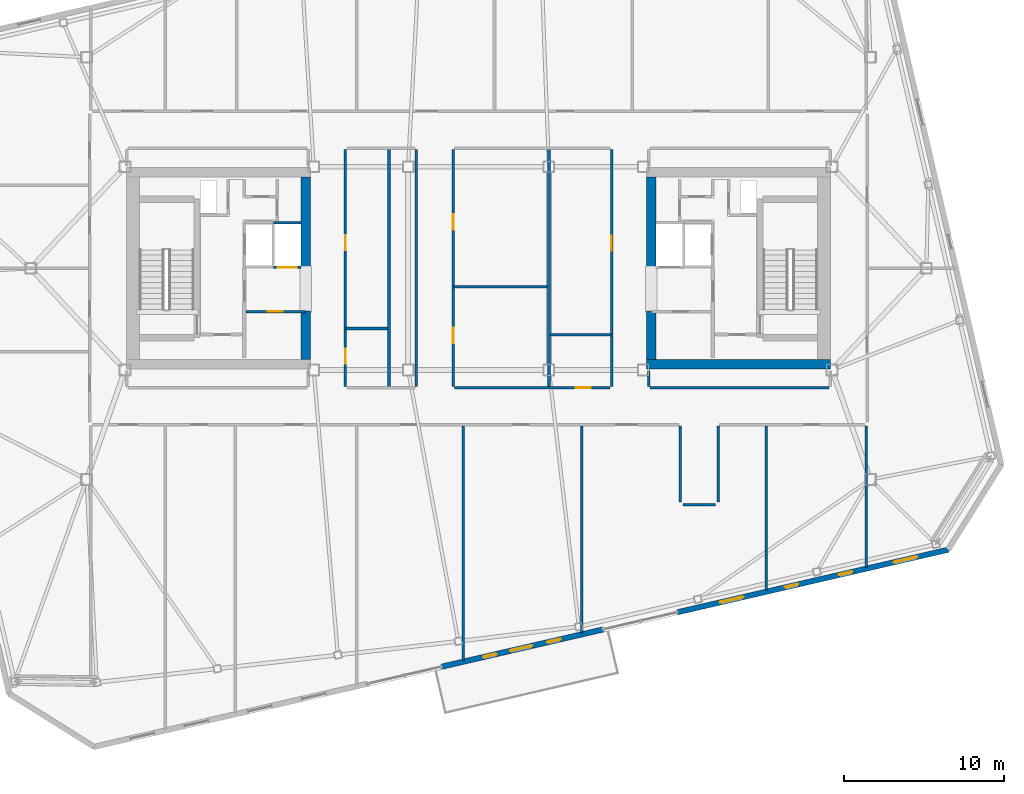
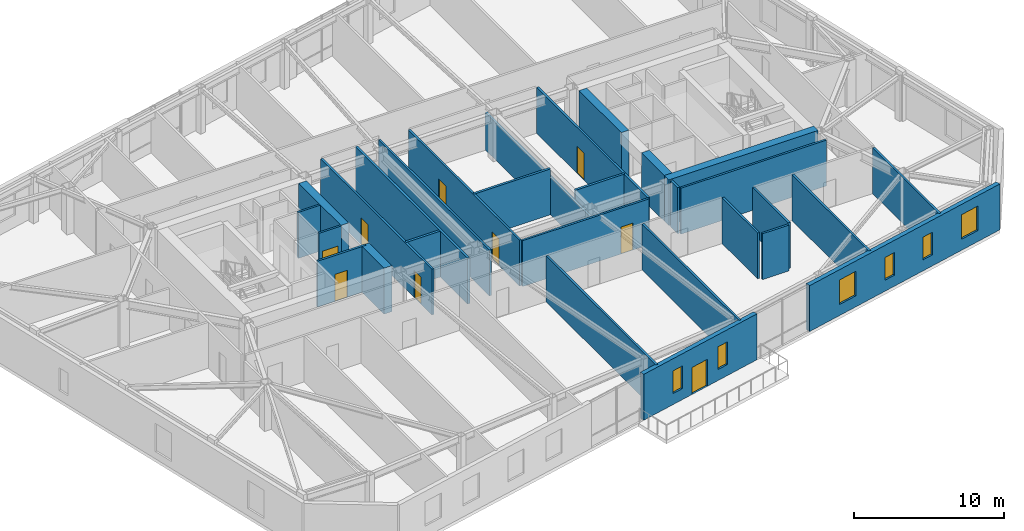
# One storey, part 17 of 24: 29 walls, 9 doors, 6 windows, 15 openings.
"""IFC4 building model written with IfcOpenShell, lengths in metres."""

from ifc_helpers import new_model, si_unit, direction, frame, frame_2d, origin, place, context, subcontext, project, spatial, rectangle, extrude, material, layer, layer_set, type_object, element, fill, save


model = new_model("IFC4")

# Units and contexts
model_context = context("Model", 3, precision=1e-05, world=origin(), true_north=direction((0.0, 1.0)))
body_context = subcontext(model_context, "Body", "Model", "MODEL_VIEW")
ifc_project = project(units=[si_unit("LENGTHUNIT", "METRE"), si_unit("AREAUNIT", "SQUARE_METRE"), si_unit("VOLUMEUNIT", "CUBIC_METRE"), si_unit("PLANEANGLEUNIT", "RADIAN"), si_unit("MASSUNIT", "GRAM", prefix="KILO")], contexts=[model_context])

# Site, building, storey
site_placement = place(None, origin())
site = spatial("IfcSite", under=ifc_project, at=site_placement, CompositionType="ELEMENT")
building_placement = place(site_placement, origin())
building = spatial("IfcBuilding", under=site, at=building_placement, Name="Tavrogorsk Clinical Tower", CompositionType="ELEMENT")
storey_placement = place(building_placement, frame((0.0, 0.0, 325.0)))
storey = spatial("IfcBuildingStorey", under=building, at=storey_placement, Name="L76", CompositionType="ELEMENT", Elevation=325.0)

# Wall, opening, door
ifc_material_1 = material(Name="Lightweight concrete blockwork B15", Category="masonry")
ifc_layer_1 = layer(ifc_material_1, 0.159912109375)
ifc_layer_set_1 = layer_set([ifc_layer_1], Name="Lightweight concrete blockwork B15")
wall_type_1 = type_object("IfcWallType", Name="PartitionWall_160", PredefinedType="PARTITIONING", material=ifc_layer_set_1)
wall_1_placement = place(storey_placement, frame((-14.534912109375, -2.699951171875, 0.0), z_axis=(0.0, 0.0, 1.0), x_axis=(1.0, 0.0, 0.0)))
wall_1 = element("IfcWall", 1, at=wall_1_placement, inside=storey, type_object=wall_type_1, Name="L76 Core West Freed Mid-Bank North Partition", PredefinedType="PARTITIONING", context=body_context, shape_type="SweptSolid", body=[
    extrude(rectangle(XDim=3.73486328125, YDim=0.159912109375, at=frame_2d((1.867431640625, 0.0))), origin(), (0.0, 0.0, 1.0), 3.739990234375),
])
opening_1_placement = place(wall_1_placement, frame((1.35009765625, 0.0, 0.0)))
opening_1 = element("IfcOpeningElement", 2, at=opening_1_placement, cuts=wall_1, Name="Opening ID-02", PredefinedType="OPENING", context=body_context, shape_type="SweptSolid", body=[
    extrude(rectangle(XDim=0.949951171875, YDim=2.199951171875, at=frame_2d((0.47509765625, 1.10009765625))), frame((0.0, 0.08984375, 0.0), z_axis=(0.0, -1.0, 0.0), x_axis=(1.0, 0.0, 0.0)), (0.0, 0.0, 1.0), 0.179931640625),
])
ifc_material_2 = material(Name="Laminated timber leaf on aluminium frame", Category="wood")
door_type_1 = type_object("IfcDoorType", Name="InteriorDoor_ID02_950", OperationType="NOTDEFINED", PredefinedType="DOOR", material=ifc_material_2)
door_1_placement = place(opening_1_placement, origin())
door_1 = element("IfcDoor", 3, at=door_1_placement, inside=storey, type_object=door_type_1, Name="L76 Core West Pharmacy Prep Door", OperationType="SINGLE_SWING_LEFT", OverallHeight=2.199951171875, OverallWidth=0.949951171875, PredefinedType="DOOR", context=body_context, shape_type="SweptSolid", body=[
    extrude(rectangle(XDim=0.949951171875, YDim=2.199951171875, at=frame_2d((0.47509765625, 1.10009765625))), frame((0.0, 0.02490234375, 0.0), z_axis=(0.0, -1.0, 0.0), x_axis=(1.0, 0.0, 0.0)), (0.0, 0.0, 1.0), 0.050048828125),
])
fill(opening_1, door_1)

# Walls
wall_2_placement = place(storey_placement, frame((14.97998046875, -9.864990234375, 0.0), z_axis=(0.0, 0.0, 1.0), x_axis=(0.0, -1.0, 0.0)))
element("IfcWall", 4, at=wall_2_placement, inside=storey, type_object=wall_type_1, Name="L76 Corridor Partition 05", PredefinedType="PARTITIONING", context=body_context, shape_type="SweptSolid", body=[
    extrude(rectangle(XDim=4.75, YDim=0.159912109375, at=frame_2d((2.375, 0.0))), origin(), (0.0, 0.0, 1.0), 3.739990234375),
])
wall_3_placement = place(storey_placement, frame((14.81494140625, -14.780029296875, 0.0), z_axis=(0.0, 0.0, 1.0), x_axis=(-1.0, 0.0, 0.0)))
element("IfcWall", 5, at=wall_3_placement, inside=storey, type_object=wall_type_1, Name="L76 Corridor Partition 06", PredefinedType="PARTITIONING", context=body_context, shape_type="SweptSolid", body=[
    extrude(rectangle(XDim=2.030029296875, YDim=0.159912109375, at=frame_2d((1.01513671875, 0.0))), origin(), (0.0, 0.0, 1.0), 3.739990234375),
])
wall_4_placement = place(storey_placement, frame((12.6201171875, -14.614990234375, 0.0), z_axis=(0.0, 0.0, 1.0), x_axis=(0.0, 1.0, 0.0)))
element("IfcWall", 6, at=wall_4_placement, inside=storey, type_object=wall_type_1, Name="L76 Corridor Partition 07", PredefinedType="PARTITIONING", context=body_context, shape_type="SweptSolid", body=[
    extrude(rectangle(XDim=4.75, YDim=0.159912109375, at=frame_2d((2.375, 0.0))), origin(), (0.0, 0.0, 1.0), 3.739990234375),
])
wall_5_placement = place(storey_placement, frame((10.6298828125, -6.419921875, 0.0), z_axis=(0.0, 0.0, 1.0), x_axis=(0.0, -1.0, 0.0)))
element("IfcWall", 7, at=wall_5_placement, inside=storey, type_object=wall_type_1, Name="L76 Corridor Partition 11", PredefinedType="PARTITIONING", context=body_context, shape_type="SweptSolid", body=[
    extrude(rectangle(XDim=0.965087890625, YDim=0.159912109375, at=frame_2d((0.482421875, 0.0))), origin(), (0.0, 0.0, 1.0), 3.739990234375),
])
wall_6_placement = place(storey_placement, frame((10.715087890625, -7.469970703125, 0.0), z_axis=(0.0, 0.0, 1.0), x_axis=(1.0, 0.0, 0.0)))
element("IfcWall", 8, at=wall_6_placement, inside=storey, type_object=wall_type_1, Name="L76 Corridor Partition 12", PredefinedType="PARTITIONING", context=body_context, shape_type="SweptSolid", body=[
    extrude(rectangle(XDim=11.199951171875, YDim=0.159912109375, at=frame_2d((5.60009765625, 0.0))), origin(), (0.0, 0.0, 1.0), 3.739990234375),
])

# Wall, openings, doors
wall_7_placement = place(storey_placement, frame((-1.570068359375, 7.43505859375, 0.0), z_axis=(0.0, 0.0, 1.0), x_axis=(0.0, -1.0, 0.0)))
wall_7 = element("IfcWall", 9, at=wall_7_placement, inside=storey, type_object=wall_type_1, Name="L76 Corridor Partition 16", PredefinedType="PARTITIONING", context=body_context, shape_type="SweptSolid", body=[
    extrude(rectangle(XDim=14.820068359375, YDim=0.159912109375, at=frame_2d((7.41015625, 0.0))), origin(), (0.0, 0.0, 1.0), 3.739990234375),
])
opening_2_placement = place(wall_7_placement, frame((11.160888671875, 0.0, 0.0)))
opening_2 = element("IfcOpeningElement", 10, at=opening_2_placement, cuts=wall_7, Name="Opening ID-02", PredefinedType="OPENING", context=body_context, shape_type="SweptSolid", body=[
    extrude(rectangle(XDim=0.949951171875, YDim=2.199951171875, at=frame_2d((0.47509765625, 1.10009765625))), frame((0.0, 0.08984375, 0.0), z_axis=(0.0, -1.0, 0.0), x_axis=(1.0, 0.0, 0.0)), (0.0, 0.0, 1.0), 0.179931640625),
])
opening_3_placement = place(wall_7_placement, frame((4.05419921875, 0.0, 0.0)))
opening_3 = element("IfcOpeningElement", 11, at=opening_3_placement, cuts=wall_7, Name="Opening ID-02", PredefinedType="OPENING", context=body_context, shape_type="SweptSolid", body=[
    extrude(rectangle(XDim=0.949951171875, YDim=2.199951171875, at=frame_2d((0.47509765625, 1.10009765625))), frame((0.0, 0.08984375, 0.0), z_axis=(0.0, -1.0, 0.0), x_axis=(1.0, 0.0, 0.0)), (0.0, 0.0, 1.0), 0.179931640625),
])
door_2_placement = place(opening_2_placement, origin())
door_2 = element("IfcDoor", 12, at=door_2_placement, inside=storey, type_object=door_type_1, Name="L76 Multidisciplinary Conference Room Door", OperationType="SINGLE_SWING_LEFT", OverallHeight=2.199951171875, OverallWidth=0.949951171875, PredefinedType="DOOR", context=body_context, shape_type="SweptSolid", body=[
    extrude(rectangle(XDim=0.949951171875, YDim=2.199951171875, at=frame_2d((0.47509765625, 1.10009765625))), frame((0.0, 0.02490234375, 0.0), z_axis=(0.0, -1.0, 0.0), x_axis=(1.0, 0.0, 0.0)), (0.0, 0.0, 1.0), 0.050048828125),
])
fill(opening_2, door_2)
door_3_placement = place(opening_3_placement, origin())
door_3 = element("IfcDoor", 13, at=door_3_placement, inside=storey, type_object=door_type_1, Name="L76 Nurses' Station & Triage Hub Door", OperationType="SINGLE_SWING_RIGHT", OverallHeight=2.199951171875, OverallWidth=0.949951171875, PredefinedType="DOOR", context=body_context, shape_type="SweptSolid", body=[
    extrude(rectangle(XDim=0.949951171875, YDim=2.199951171875, at=frame_2d((0.47509765625, 1.10009765625))), frame((0.0, 0.02490234375, 0.0), z_axis=(0.0, -1.0, 0.0), x_axis=(1.0, 0.0, 0.0)), (0.0, 0.0, 1.0), 0.050048828125),
])
fill(opening_3, door_3)

# Wall, opening, door
wall_8_placement = place(storey_placement, frame((-1.485107421875, -7.469970703125, 0.0), z_axis=(0.0, 0.0, 1.0), x_axis=(1.0, 0.0, 0.0)))
wall_8 = element("IfcWall", 14, at=wall_8_placement, inside=storey, type_object=wall_type_1, Name="L76 Corridor Partition 17", PredefinedType="PARTITIONING", context=body_context, shape_type="SweptSolid", body=[
    extrude(rectangle(XDim=9.72021484375, YDim=0.159912109375, at=frame_2d((4.860107421875, 0.0))), origin(), (0.0, 0.0, 1.0), 3.739990234375),
])
opening_4_placement = place(wall_8_placement, frame((7.560791015625, 0.0, 0.0)))
opening_4 = element("IfcOpeningElement", 15, at=opening_4_placement, cuts=wall_8, Name="Opening ID-02", PredefinedType="OPENING", context=body_context, shape_type="SweptSolid", body=[
    extrude(rectangle(XDim=0.949951171875, YDim=2.199951171875, at=frame_2d((0.47509765625, 1.10009765625))), frame((0.0, 0.08984375, 0.0), z_axis=(0.0, -1.0, 0.0), x_axis=(1.0, 0.0, 0.0)), (0.0, 0.0, 1.0), 0.179931640625),
])
door_4_placement = place(opening_4_placement, origin())
door_4 = element("IfcDoor", 16, at=door_4_placement, inside=storey, type_object=door_type_1, Name="L76 Staff & Visitor Accessible WC Door", OperationType="SINGLE_SWING_LEFT", OverallHeight=2.199951171875, OverallWidth=0.949951171875, PredefinedType="DOOR", context=body_context, shape_type="SweptSolid", body=[
    extrude(rectangle(XDim=0.949951171875, YDim=2.199951171875, at=frame_2d((0.47509765625, 1.10009765625))), frame((0.0, 0.02490234375, 0.0), z_axis=(0.0, -1.0, 0.0), x_axis=(1.0, 0.0, 0.0)), (0.0, 0.0, 1.0), 0.050048828125),
])
fill(opening_4, door_4)

wall_9_placement = place(storey_placement, frame((8.320068359375, -7.385009765625, 0.0), z_axis=(0.0, 0.0, 1.0), x_axis=(0.0, 1.0, 0.0)))
wall_9 = element("IfcWall", 17, at=wall_9_placement, inside=storey, type_object=wall_type_1, Name="L76 Corridor Partition 18", PredefinedType="PARTITIONING", context=body_context, shape_type="SweptSolid", body=[
    extrude(rectangle(XDim=14.820068359375, YDim=0.159912109375, at=frame_2d((7.41015625, 0.0))), origin(), (0.0, 0.0, 1.0), 3.739990234375),
])
opening_5_placement = place(wall_9_placement, frame((8.48583984375, 0.0, 0.0)))
opening_5 = element("IfcOpeningElement", 18, at=opening_5_placement, cuts=wall_9, Name="Opening ID-02", PredefinedType="OPENING", context=body_context, shape_type="SweptSolid", body=[
    extrude(rectangle(XDim=0.949951171875, YDim=2.199951171875, at=frame_2d((0.47509765625, 1.10009765625))), frame((0.0, 0.08984375, 0.0), z_axis=(0.0, -1.0, 0.0), x_axis=(1.0, 0.0, 0.0)), (0.0, 0.0, 1.0), 0.179931640625),
])
door_5_placement = place(opening_5_placement, origin())
door_5 = element("IfcDoor", 19, at=door_5_placement, inside=storey, type_object=door_type_1, Name="L76 Attending Physician Office Door", OperationType="SINGLE_SWING_RIGHT", OverallHeight=2.199951171875, OverallWidth=0.949951171875, PredefinedType="DOOR", context=body_context, shape_type="SweptSolid", body=[
    extrude(rectangle(XDim=0.949951171875, YDim=2.199951171875, at=frame_2d((0.47509765625, 1.10009765625))), frame((0.0, 0.02490234375, 0.0), z_axis=(0.0, -1.0, 0.0), x_axis=(1.0, 0.0, 0.0)), (0.0, 0.0, 1.0), 0.050048828125),
])
fill(opening_5, door_5)

# Wall
wall_10_placement = place(storey_placement, frame((-3.8798828125, -7.385009765625, 0.0), z_axis=(0.0, 0.0, 1.0), x_axis=(0.0, 1.0, 0.0)))
element("IfcWall", 20, at=wall_10_placement, inside=storey, type_object=wall_type_1, Name="L76 Corridor Partition 19", PredefinedType="PARTITIONING", context=body_context, shape_type="SweptSolid", body=[
    extrude(rectangle(XDim=14.820068359375, YDim=0.159912109375, at=frame_2d((7.41015625, 0.0))), origin(), (0.0, 0.0, 1.0), 3.739990234375),
])

# Wall, openings, doors
wall_11_placement = place(storey_placement, frame((-8.320068359375, 7.43505859375, 0.0), z_axis=(0.0, 0.0, 1.0), x_axis=(0.0, -1.0, 0.0)))
wall_11 = element("IfcWall", 21, at=wall_11_placement, inside=storey, type_object=wall_type_1, Name="L76 Corridor Partition 21", PredefinedType="PARTITIONING", context=body_context, shape_type="SweptSolid", body=[
    extrude(rectangle(XDim=14.820068359375, YDim=0.159912109375, at=frame_2d((7.41015625, 0.0))), origin(), (0.0, 0.0, 1.0), 3.739990234375),
])
opening_6_placement = place(wall_11_placement, frame((12.4609375, 0.0, 0.0)))
opening_6 = element("IfcOpeningElement", 22, at=opening_6_placement, cuts=wall_11, Name="Opening ID-02", PredefinedType="OPENING", context=body_context, shape_type="SweptSolid", body=[
    extrude(rectangle(XDim=0.949951171875, YDim=2.199951171875, at=frame_2d((0.47509765625, 1.10009765625))), frame((0.0, 0.08984375, 0.0), z_axis=(0.0, -1.0, 0.0), x_axis=(1.0, 0.0, 0.0)), (0.0, 0.0, 1.0), 0.179931640625),
])
opening_7_placement = place(wall_11_placement, frame((5.35400390625, 0.0, 0.0)))
opening_7 = element("IfcOpeningElement", 23, at=opening_7_placement, cuts=wall_11, Name="Opening ID-02", PredefinedType="OPENING", context=body_context, shape_type="SweptSolid", body=[
    extrude(rectangle(XDim=0.949951171875, YDim=2.199951171875, at=frame_2d((0.47509765625, 1.10009765625))), frame((0.0, 0.08984375, 0.0), z_axis=(0.0, -1.0, 0.0), x_axis=(1.0, 0.0, 0.0)), (0.0, 0.0, 1.0), 0.179931640625),
])
door_6_placement = place(opening_6_placement, origin())
door_6 = element("IfcDoor", 24, at=door_6_placement, inside=storey, type_object=door_type_1, Name="L76 Accessible Patient Lavatory Door", OperationType="SINGLE_SWING_LEFT", OverallHeight=2.199951171875, OverallWidth=0.949951171875, PredefinedType="DOOR", context=body_context, shape_type="SweptSolid", body=[
    extrude(rectangle(XDim=0.949951171875, YDim=2.199951171875, at=frame_2d((0.47509765625, 1.10009765625))), frame((0.0, 0.02490234375, 0.0), z_axis=(0.0, -1.0, 0.0), x_axis=(1.0, 0.0, 0.0)), (0.0, 0.0, 1.0), 0.050048828125),
])
fill(opening_6, door_6)
door_7_placement = place(opening_7_placement, origin())
door_7 = element("IfcDoor", 25, at=door_7_placement, inside=storey, type_object=door_type_1, Name="L76 Ward Nourishment Pantry Door", OperationType="SINGLE_SWING_RIGHT", OverallHeight=2.199951171875, OverallWidth=0.949951171875, PredefinedType="DOOR", context=body_context, shape_type="SweptSolid", body=[
    extrude(rectangle(XDim=0.949951171875, YDim=2.199951171875, at=frame_2d((0.47509765625, 1.10009765625))), frame((0.0, 0.02490234375, 0.0), z_axis=(0.0, -1.0, 0.0), x_axis=(1.0, 0.0, 0.0)), (0.0, 0.0, 1.0), 0.050048828125),
])
fill(opening_7, door_7)

# Walls
wall_12_placement = place(storey_placement, frame((24.22998046875, -18.702880859375, 0.0), z_axis=(0.0, 0.0, 1.0), x_axis=(0.0, 1.0, 0.0)))
element("IfcWall", 26, at=wall_12_placement, inside=storey, type_object=wall_type_1, Name="L76 SE Wing Closure Partition", PredefinedType="PARTITIONING", context=body_context, shape_type="SweptSolid", body=[
    extrude(rectangle(XDim=8.837890625, YDim=0.159912109375, at=frame_2d((4.4189453125, 0.0))), origin(), (0.0, 0.0, 1.0), 3.739990234375),
])
wall_13_placement = place(storey_placement, frame((-0.93994140625, -24.513671875, 0.0), z_axis=(0.0, 0.0, 1.0), x_axis=(0.0, 1.0, 0.0)))
element("IfcWall", 27, at=wall_13_placement, inside=storey, type_object=wall_type_1, Name="L76 South Room Partition 3", PredefinedType="PARTITIONING", context=body_context, shape_type="SweptSolid", body=[
    extrude(rectangle(XDim=14.648681640625, YDim=0.159912109375, at=frame_2d((7.32421875, 0.0))), origin(), (0.0, 0.0, 1.0), 3.739990234375),
])
wall_14_placement = place(storey_placement, frame((6.4599609375, -22.805419921875, 0.0), z_axis=(0.0, 0.0, 1.0), x_axis=(0.0, 1.0, 0.0)))
element("IfcWall", 28, at=wall_14_placement, inside=storey, type_object=wall_type_1, Name="L76 South Room Partition 4", PredefinedType="PARTITIONING", context=body_context, shape_type="SweptSolid", body=[
    extrude(rectangle(XDim=12.9404296875, YDim=0.159912109375, at=frame_2d((6.47021484375, 0.0))), origin(), (0.0, 0.0, 1.0), 3.739990234375),
])
wall_15_placement = place(storey_placement, frame((18.0, -20.14111328125, 0.0), z_axis=(0.0, 0.0, 1.0), x_axis=(0.0, 1.0, 0.0)))
element("IfcWall", 29, at=wall_15_placement, inside=storey, type_object=wall_type_1, Name="L76 South Room Partition 5", PredefinedType="PARTITIONING", context=body_context, shape_type="SweptSolid", body=[
    extrude(rectangle(XDim=10.276123046875, YDim=0.159912109375, at=frame_2d((5.13818359375, 0.0))), origin(), (0.0, 0.0, 1.0), 3.739990234375),
])
ifc_material_3 = material(Name="Lightweight concrete blockwork B20", Category="masonry")
ifc_layer_2 = layer(ifc_material_3, 0.179931640625)
ifc_layer_set_2 = layer_set([ifc_layer_2], Name="Lightweight concrete blockwork B20")
wall_type_2 = type_object("IfcWallType", Name="PartitionWall_180", PredefinedType="PARTITIONING", material=ifc_layer_set_2)
wall_16_placement = place(storey_placement, frame((-5.60009765625, -7.465087890625, 0.0), z_axis=(0.0, 0.0, 1.0), x_axis=(0.0, 1.0, 0.0)))
element("IfcWall", 30, at=wall_16_placement, inside=storey, type_object=wall_type_2, Name="L76 Central Spine Partition 1", PredefinedType="PARTITIONING", context=body_context, shape_type="SweptSolid", body=[
    extrude(rectangle(XDim=14.97998046875, YDim=0.179931640625, at=frame_2d((7.489990234375, 0.0))), origin(), (0.0, 0.0, 1.0), 3.739990234375),
])
wall_17_placement = place(storey_placement, frame((4.39990234375, -7.465087890625, 0.0), z_axis=(0.0, 0.0, 1.0), x_axis=(0.0, 1.0, 0.0)))
element("IfcWall", 31, at=wall_17_placement, inside=storey, type_object=wall_type_2, Name="L76 Central Spine Partition 2", PredefinedType="PARTITIONING", context=body_context, shape_type="SweptSolid", body=[
    extrude(rectangle(XDim=14.97998046875, YDim=0.179931640625, at=frame_2d((7.489990234375, 0.0))), origin(), (0.0, 0.0, 1.0), 3.034912109375),
])
wall_18_placement = place(storey_placement, frame((-1.56494140625, -1.14990234375, 0.0), z_axis=(0.0, 0.0, 1.0), x_axis=(1.0, 0.0, 0.0)))
element("IfcWall", 32, at=wall_18_placement, inside=storey, type_object=wall_type_2, Name="L76 Central Spine Partition 3", PredefinedType="PARTITIONING", context=body_context, shape_type="SweptSolid", body=[
    extrude(rectangle(XDim=5.869873046875, YDim=0.179931640625, at=frame_2d((2.93505859375, 0.0))), origin(), (0.0, 0.0, 1.0), 3.739990234375),
])
wall_19_placement = place(storey_placement, frame((-8.31494140625, -3.75, 0.0), z_axis=(0.0, 0.0, 1.0), x_axis=(1.0, 0.0, 0.0)))
element("IfcWall", 33, at=wall_19_placement, inside=storey, type_object=wall_type_2, Name="L76 Central Spine Partition 4", PredefinedType="PARTITIONING", context=body_context, shape_type="SweptSolid", body=[
    extrude(rectangle(XDim=2.619873046875, YDim=0.179931640625, at=frame_2d((1.31005859375, 0.0))), origin(), (0.0, 0.0, 1.0), 3.739990234375),
])
wall_20_placement = place(storey_placement, frame((4.4951171875, -4.14990234375, 0.0), z_axis=(0.0, 0.0, 1.0), x_axis=(1.0, 0.0, 0.0)))
element("IfcWall", 34, at=wall_20_placement, inside=storey, type_object=wall_type_2, Name="L76 Central Spine Partition 5", PredefinedType="PARTITIONING", context=body_context, shape_type="SweptSolid", body=[
    extrude(rectangle(XDim=3.81982421875, YDim=0.179931640625, at=frame_2d((1.909912109375, 0.0))), origin(), (0.0, 0.0, 1.0), 3.739990234375),
])

# Wall, openings, windows, door
ifc_material_4 = material(Name="Precast concrete B45 with limestone cladding", Category="masonry")
ifc_layer_3 = layer(ifc_material_4, 0.340087890625)
ifc_layer_set_3 = layer_set([ifc_layer_3], Name="Precast concrete B45 with limestone cladding")
wall_type_3 = type_object("IfcWallType", Name="PrecastLimestoneWall_340", PredefinedType="STANDARD", material=ifc_layer_set_3)
wall_21_placement = place(storey_placement, frame((-2.294921875, -24.8984375, 0.0), z_axis=(0.0, 0.0, 1.0), x_axis=(0.974370872906, 0.224947553958, 0.0)))
wall_21 = element("IfcWall", 35, at=wall_21_placement, inside=storey, type_object=wall_type_3, Name="L76 S Limestone Facade Wall 2", PredefinedType="STANDARD", context=body_context, shape_type="SweptSolid", body=[
    extrude(rectangle(XDim=10.327880859375, YDim=0.340087890625, at=frame_2d((5.1640625, 0.0))), origin(), (0.0, 0.0, 1.0), 3.739990234375),
])
opening_8_placement = place(wall_21_placement, frame((4.393798828125, 0.0, 0.0)))
opening_8 = element("IfcOpeningElement", 36, at=opening_8_placement, cuts=wall_21, Name="Opening ED-03", PredefinedType="OPENING", context=body_context, shape_type="SweptSolid", body=[
    extrude(rectangle(XDim=1.39990234375, YDim=2.199951171875, at=frame_2d((0.699951171875, 1.10009765625))), frame((0.0, 0.179931640625, 0.0), z_axis=(0.0, -1.0, 0.0), x_axis=(1.0, 0.0, 0.0)), (0.0, 0.0, 1.0), 0.360107421875),
])
opening_9_placement = place(wall_21_placement, frame((2.65478515625, 0.0, 0.89990234375)))
opening_9 = element("IfcOpeningElement", 37, at=opening_9_placement, cuts=wall_21, Name="Opening WN-06", PredefinedType="OPENING", context=body_context, shape_type="SweptSolid", body=[
    extrude(rectangle(XDim=0.85009765625, YDim=1.85009765625, at=frame_2d((0.425048828125, 0.925048828125))), frame((0.0, 0.179931640625, 0.0), z_axis=(0.0, -1.0, 0.0), x_axis=(1.0, 0.0, 0.0)), (0.0, 0.0, 1.0), 0.360107421875),
])
opening_10_placement = place(wall_21_placement, frame((6.7744140625, 0.0, 0.89990234375)))
opening_10 = element("IfcOpeningElement", 38, at=opening_10_placement, cuts=wall_21, Name="Opening WN-06", PredefinedType="OPENING", context=body_context, shape_type="SweptSolid", body=[
    extrude(rectangle(XDim=0.85009765625, YDim=1.85009765625, at=frame_2d((0.425048828125, 0.925048828125))), frame((0.0, 0.179931640625, 0.0), z_axis=(0.0, -1.0, 0.0), x_axis=(1.0, 0.0, 0.0)), (0.0, 0.0, 1.0), 0.360107421875),
])
ifc_material_5 = material(Name="Thermally broken aluminium frame and triple IGU", Category="aluminium")
window_type_1 = type_object("IfcWindowType", Name="MullionSubWin_850x1850", PartitioningType="SINGLE_PANEL", PredefinedType="WINDOW", material=ifc_material_5)
window_1_placement = place(opening_9_placement, origin())
window_1 = element("IfcWindow", 39, at=window_1_placement, inside=storey, type_object=window_type_1, Name="L76 S Mullion Split Window 05A", OverallHeight=1.85009765625, OverallWidth=0.85009765625, PartitioningType="SINGLE_PANEL", PredefinedType="WINDOW", context=body_context, shape_type="SweptSolid", body=[
    extrude(rectangle(XDim=0.85009765625, YDim=1.85009765625, at=frame_2d((0.425048828125, 0.925048828125))), frame((0.0, 0.030029296875, 0.0), z_axis=(0.0, -1.0, 0.0), x_axis=(1.0, 0.0, 0.0)), (0.0, 0.0, 1.0), 0.06005859375),
])
fill(opening_9, window_1)
window_2_placement = place(opening_10_placement, origin())
window_2 = element("IfcWindow", 40, at=window_2_placement, inside=storey, type_object=window_type_1, Name="L76 S Mullion Split Window 06B", OverallHeight=1.85009765625, OverallWidth=0.85009765625, PartitioningType="SINGLE_PANEL", PredefinedType="WINDOW", context=body_context, shape_type="SweptSolid", body=[
    extrude(rectangle(XDim=0.85009765625, YDim=1.85009765625, at=frame_2d((0.425048828125, 0.925048828125))), frame((0.0, 0.030029296875, 0.0), z_axis=(0.0, -1.0, 0.0), x_axis=(1.0, 0.0, 0.0)), (0.0, 0.0, 1.0), 0.06005859375),
])
fill(opening_10, window_2)
ifc_material_6 = material(Name="Thermally broken aluminium and laminated safety glass", Category="aluminium")
door_type_2 = type_object("IfcDoorType", Name="TerraceGlassDoor_ED03_1400", OperationType="DOUBLE_SWING_LEFT", PredefinedType="DOOR", material=ifc_material_6)
door_8_placement = place(opening_8_placement, origin())
door_8 = element("IfcDoor", 41, at=door_8_placement, inside=storey, type_object=door_type_2, Name="L76 Spiralling Recuperation Terrace Door ED-03", OperationType="DOUBLE_SWING_LEFT", OverallHeight=2.199951171875, OverallWidth=1.39990234375, PredefinedType="DOOR", context=body_context, shape_type="SweptSolid", body=[
    extrude(rectangle(XDim=1.39990234375, YDim=2.199951171875, at=frame_2d((0.699951171875, 1.10009765625))), frame((0.0, 0.02490234375, 0.0), z_axis=(0.0, -1.0, 0.0), x_axis=(1.0, 0.0, 0.0)), (0.0, 0.0, 1.0), 0.050048828125),
])
fill(opening_8, door_8)

# Wall, openings, windows
wall_22_placement = place(storey_placement, frame((12.4453125, -21.495361328125, 0.0), z_axis=(0.0, 0.0, 1.0), x_axis=(0.974369392164, 0.224953967767, 0.0)))
wall_22 = element("IfcWall", 42, at=wall_22_placement, inside=storey, type_object=wall_type_3, Name="L76 S Limestone Facade Wall 3", PredefinedType="STANDARD", context=body_context, shape_type="SweptSolid", body=[
    extrude(rectangle(XDim=17.36572265625, YDim=0.340087890625, at=frame_2d((8.682861328125, 0.0))), origin(), (0.0, 0.0, 1.0), 3.739990234375),
])
opening_11_placement = place(wall_22_placement, frame((2.728515625, 0.0, 0.89990234375)))
opening_11 = element("IfcOpeningElement", 43, at=opening_11_placement, cuts=wall_22, Name="Opening WN-05", PredefinedType="OPENING", context=body_context, shape_type="SweptSolid", body=[
    extrude(rectangle(XDim=1.5, YDim=2.0, at=frame_2d((0.75, 1.0))), frame((0.0, 0.179931640625, 0.0), z_axis=(0.0, -1.0, 0.0), x_axis=(1.0, 0.0, 0.0)), (0.0, 0.0, 1.0), 0.360107421875),
])
opening_12_placement = place(wall_22_placement, frame((6.890380859375, 0.0, 0.89990234375)))
opening_12 = element("IfcOpeningElement", 44, at=opening_12_placement, cuts=wall_22, Name="Opening WN-06", PredefinedType="OPENING", context=body_context, shape_type="SweptSolid", body=[
    extrude(rectangle(XDim=0.85009765625, YDim=1.85009765625, at=frame_2d((0.425048828125, 0.925048828125))), frame((0.0, 0.179931640625, 0.0), z_axis=(0.0, -1.0, 0.0), x_axis=(1.0, 0.0, 0.0)), (0.0, 0.0, 1.0), 0.360107421875),
])
opening_13_placement = place(wall_22_placement, frame((10.36279296875, 0.0, 0.89990234375)))
opening_13 = element("IfcOpeningElement", 45, at=opening_13_placement, cuts=wall_22, Name="Opening WN-06", PredefinedType="OPENING", context=body_context, shape_type="SweptSolid", body=[
    extrude(rectangle(XDim=0.85009765625, YDim=1.85009765625, at=frame_2d((0.425048828125, 0.925048828125))), frame((0.0, 0.179931640625, 0.0), z_axis=(0.0, -1.0, 0.0), x_axis=(1.0, 0.0, 0.0)), (0.0, 0.0, 1.0), 0.360107421875),
])
opening_14_placement = place(wall_22_placement, frame((13.87451171875, 0.0, 0.89990234375)))
opening_14 = element("IfcOpeningElement", 46, at=opening_14_placement, cuts=wall_22, Name="Opening WN-05", PredefinedType="OPENING", context=body_context, shape_type="SweptSolid", body=[
    extrude(rectangle(XDim=1.5, YDim=2.0, at=frame_2d((0.75, 1.0))), frame((0.0, 0.179931640625, 0.0), z_axis=(0.0, -1.0, 0.0), x_axis=(1.0, 0.0, 0.0)), (0.0, 0.0, 1.0), 0.360107421875),
])
ifc_material_7 = material(Name="Thermally broken aluminium frame and triple IGU", Category="aluminium")
window_type_2 = type_object("IfcWindowType", Name="ConsultWin_1500x2000", PartitioningType="SINGLE_PANEL", PredefinedType="WINDOW", material=ifc_material_7)
window_3_placement = place(opening_11_placement, origin())
window_3 = element("IfcWindow", 47, at=window_3_placement, inside=storey, type_object=window_type_2, Name="L76 S Chicago Window 07", OverallHeight=2.0, OverallWidth=1.5, PartitioningType="SINGLE_PANEL", PredefinedType="WINDOW", context=body_context, shape_type="SweptSolid", body=[
    extrude(rectangle(XDim=1.5, YDim=2.0, at=frame_2d((0.75, 1.0))), frame((0.0, 0.030029296875, 0.0), z_axis=(0.0, -1.0, 0.0), x_axis=(1.0, 0.0, 0.0)), (0.0, 0.0, 1.0), 0.06005859375),
])
fill(opening_11, window_3)
window_4_placement = place(opening_14_placement, origin())
window_4 = element("IfcWindow", 48, at=window_4_placement, inside=storey, type_object=window_type_2, Name="L76 S Chicago Window 10", OverallHeight=2.0, OverallWidth=1.5, PartitioningType="SINGLE_PANEL", PredefinedType="WINDOW", context=body_context, shape_type="SweptSolid", body=[
    extrude(rectangle(XDim=1.5, YDim=2.0, at=frame_2d((0.75, 1.0))), frame((0.0, 0.030029296875, 0.0), z_axis=(0.0, -1.0, 0.0), x_axis=(1.0, 0.0, 0.0)), (0.0, 0.0, 1.0), 0.06005859375),
])
fill(opening_14, window_4)
window_5_placement = place(opening_12_placement, origin())
window_5 = element("IfcWindow", 49, at=window_5_placement, inside=storey, type_object=window_type_1, Name="L76 S Mullion Split Window 08B", OverallHeight=1.85009765625, OverallWidth=0.85009765625, PartitioningType="SINGLE_PANEL", PredefinedType="WINDOW", context=body_context, shape_type="SweptSolid", body=[
    extrude(rectangle(XDim=0.85009765625, YDim=1.85009765625, at=frame_2d((0.425048828125, 0.925048828125))), frame((0.0, 0.030029296875, 0.0), z_axis=(0.0, -1.0, 0.0), x_axis=(1.0, 0.0, 0.0)), (0.0, 0.0, 1.0), 0.06005859375),
])
fill(opening_12, window_5)
window_6_placement = place(opening_13_placement, origin())
window_6 = element("IfcWindow", 50, at=window_6_placement, inside=storey, type_object=window_type_1, Name="L76 S Mullion Split Window 09A", OverallHeight=1.85009765625, OverallWidth=0.85009765625, PartitioningType="SINGLE_PANEL", PredefinedType="WINDOW", context=body_context, shape_type="SweptSolid", body=[
    extrude(rectangle(XDim=0.85009765625, YDim=1.85009765625, at=frame_2d((0.425048828125, 0.925048828125))), frame((0.0, 0.030029296875, 0.0), z_axis=(0.0, -1.0, 0.0), x_axis=(1.0, 0.0, 0.0)), (0.0, 0.0, 1.0), 0.06005859375),
])
fill(opening_13, window_6)

# Wall, opening, door
ifc_material_8 = material(Name="Lightweight concrete blockwork B25", Category="masonry")
ifc_layer_4 = layer(ifc_material_8, 0.159912109375)
ifc_layer_set_4 = layer_set([ifc_layer_4], Name="Lightweight concrete blockwork B25")
wall_type_4 = type_object("IfcWallType", Name="ShaftWall_160", PredefinedType="PARTITIONING", material=ifc_layer_set_4)
wall_23_placement = place(storey_placement, frame((-12.820068359375, 0.06005859375, 0.0), z_axis=(0.0, 0.0, 1.0), x_axis=(1.0, 0.0, 0.0)))
wall_23 = element("IfcWall", 51, at=wall_23_placement, inside=storey, type_object=wall_type_4, Name="L76 LP-H1 High-Zone Lift Portal Wall", PredefinedType="PARTITIONING", context=body_context, shape_type="SweptSolid", body=[
    extrude(rectangle(XDim=1.719970703125, YDim=0.159912109375, at=frame_2d((0.85986328125, 0.0))), origin(), (0.0, 0.0, 1.0), 3.739990234375),
])
opening_15_placement = place(wall_23_placement, frame((0.260009765625, 0.0, 0.0)))
opening_15 = element("IfcOpeningElement", 52, at=opening_15_placement, cuts=wall_23, Name="Opening LD", PredefinedType="OPENING", context=body_context, shape_type="SweptSolid", body=[
    extrude(rectangle(XDim=1.199951171875, YDim=2.199951171875, at=frame_2d((0.60009765625, 1.10009765625))), frame((0.0, 0.08984375, 0.0), z_axis=(0.0, -1.0, 0.0), x_axis=(1.0, 0.0, 0.0)), (0.0, 0.0, 1.0), 0.179931640625),
])
ifc_material_9 = material(Name="Brushed stainless steel AISI 304 sliding doors", Category="steel")
door_type_3 = type_object("IfcDoorType", Name="LiftLandingDoor_LD_1200", OperationType="SLIDING_TO_LEFT", PredefinedType="DOOR", material=ifc_material_9)
door_9_placement = place(opening_15_placement, origin())
door_9 = element("IfcDoor", 53, at=door_9_placement, inside=storey, type_object=door_type_3, Name="L76 LP-H1 Sliding Lift Landing Door", OperationType="SLIDING_TO_LEFT", OverallHeight=2.199951171875, OverallWidth=1.199951171875, PredefinedType="DOOR", context=body_context, shape_type="SweptSolid", body=[
    extrude(rectangle(XDim=1.199951171875, YDim=2.199951171875, at=frame_2d((0.60009765625, 1.10009765625))), frame((0.0, 0.02490234375, 0.0), z_axis=(0.0, -1.0, 0.0), x_axis=(1.0, 0.0, 0.0)), (0.0, 0.0, 1.0), 0.050048828125),
])
fill(opening_15, door_9)

# Walls
wall_24_placement = place(storey_placement, frame((-12.820068359375, 2.860107421875, 0.0), z_axis=(0.0, 0.0, 1.0), x_axis=(1.0, 0.0, 0.0)))
element("IfcWall", 54, at=wall_24_placement, inside=storey, type_object=wall_type_4, Name="L76 LP-H1 High-Zone Lift Rear Wall", PredefinedType="PARTITIONING", context=body_context, shape_type="SweptSolid", body=[
    extrude(rectangle(XDim=1.719970703125, YDim=0.159912109375, at=frame_2d((0.85986328125, 0.0))), origin(), (0.0, 0.0, 1.0), 3.739990234375),
])
ifc_material_10 = material(Name="Concrete B80", Category="concrete")
ifc_layer_5 = layer(ifc_material_10, 0.60009765625)
ifc_layer_set_5 = layer_set([ifc_layer_5], Name="Concrete B80")
wall_type_5 = type_object("IfcWallType", Name="ShearWall_600", PredefinedType="SHEAR", material=ifc_layer_set_5)
wall_25_placement = place(storey_placement, frame((-10.800048828125, -5.699951171875, 0.0), z_axis=(0.0, 0.0, 1.0), x_axis=(0.0, 1.0, 0.0)))
element("IfcWall", 55, at=wall_25_placement, inside=storey, type_object=wall_type_5, Name="L76 Core West Inner South Pier", PredefinedType="SHEAR", context=body_context, shape_type="SweptSolid", body=[
    extrude(rectangle(XDim=3.050048828125, YDim=0.60009765625, at=frame_2d((1.52490234375, 0.0))), origin(), (0.0, 0.0, 1.0), 3.739990234375),
])
wall_26_placement = place(storey_placement, frame((-10.800048828125, 0.050048828125, 0.0), z_axis=(0.0, 0.0, 1.0), x_axis=(0.0, 1.0, 0.0)))
element("IfcWall", 56, at=wall_26_placement, inside=storey, type_object=wall_type_5, Name="L76 Core West Inner North Pier", PredefinedType="SHEAR", context=body_context, shape_type="SweptSolid", body=[
    extrude(rectangle(XDim=5.64990234375, YDim=0.60009765625, at=frame_2d((2.824951171875, 0.0))), origin(), (0.0, 0.0, 1.0), 3.739990234375),
])
wall_27_placement = place(storey_placement, frame((10.5, -6.0, 0.0), z_axis=(0.0, 0.0, 1.0), x_axis=(1.0, 0.0, 0.0)))
element("IfcWall", 57, at=wall_27_placement, inside=storey, type_object=wall_type_5, Name="L76 Core East South Shear Wall", PredefinedType="SHEAR", context=body_context, shape_type="SweptSolid", body=[
    extrude(rectangle(XDim=11.5, YDim=0.60009765625, at=frame_2d((5.75, 0.0))), origin(), (0.0, 0.0, 1.0), 3.739990234375),
])
wall_28_placement = place(storey_placement, frame((10.800048828125, -5.699951171875, 0.0), z_axis=(0.0, 0.0, 1.0), x_axis=(0.0, 1.0, 0.0)))
element("IfcWall", 58, at=wall_28_placement, inside=storey, type_object=wall_type_5, Name="L76 Core East Inner South Pier", PredefinedType="SHEAR", context=body_context, shape_type="SweptSolid", body=[
    extrude(rectangle(XDim=3.050048828125, YDim=0.60009765625, at=frame_2d((1.52490234375, 0.0))), origin(), (0.0, 0.0, 1.0), 3.739990234375),
])
wall_29_placement = place(storey_placement, frame((10.800048828125, 0.050048828125, 0.0), z_axis=(0.0, 0.0, 1.0), x_axis=(0.0, 1.0, 0.0)))
element("IfcWall", 59, at=wall_29_placement, inside=storey, type_object=wall_type_5, Name="L76 Core East Inner North Pier", PredefinedType="SHEAR", context=body_context, shape_type="SweptSolid", body=[
    extrude(rectangle(XDim=5.64990234375, YDim=0.60009765625, at=frame_2d((2.824951171875, 0.0))), origin(), (0.0, 0.0, 1.0), 3.739990234375),
])

save(model, "model.ifc")
